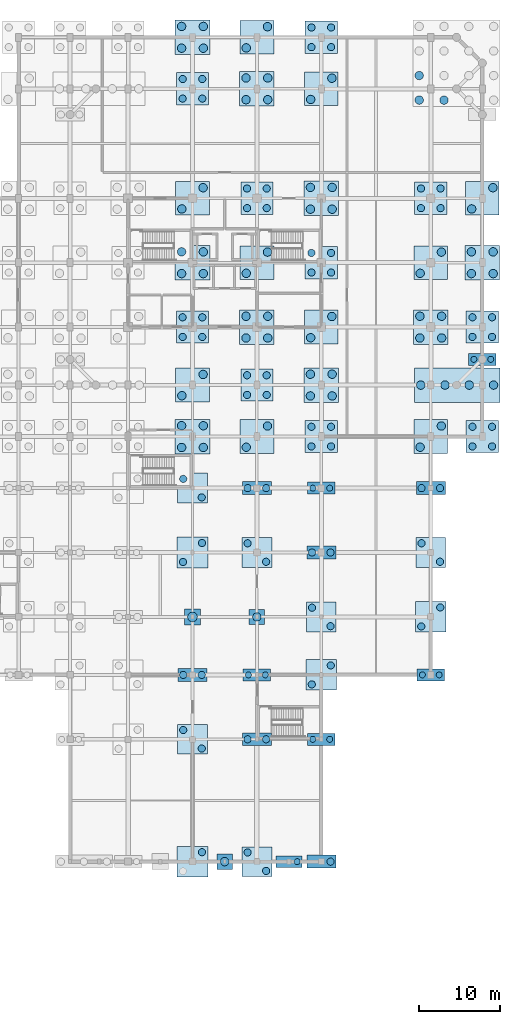
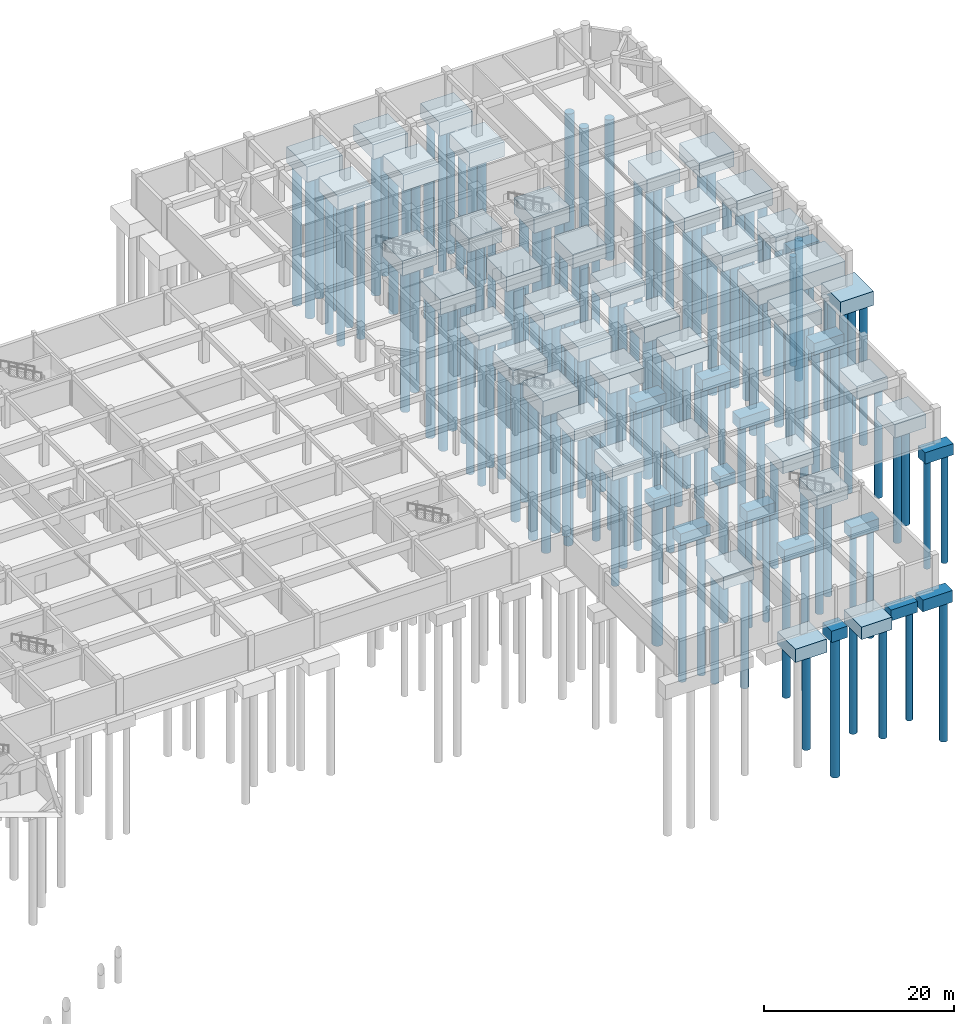
# One storey, part 4 of 28: 147 piles, 55 footings.
"""IFC4 building model written with IfcOpenShell, lengths in metres."""

from ifc_helpers import new_model, si_unit, direction, frame, origin, origin_2d, place, context, subcontext, project, spatial, rectangle, circle, extrude, material, material_profile, profile_set, type_object, element, save


model = new_model("IFC4")

# Units and contexts
model_context = context("Model", 3, precision=1e-05, world=origin(), true_north=direction((0.0, 1.0)))
body_context = subcontext(model_context, "Body", "Model", "MODEL_VIEW")
ifc_project = project(units=[si_unit("LENGTHUNIT", "METRE"), si_unit("AREAUNIT", "SQUARE_METRE"), si_unit("VOLUMEUNIT", "CUBIC_METRE"), si_unit("PLANEANGLEUNIT", "RADIAN"), si_unit("MASSUNIT", "GRAM", prefix="KILO")], contexts=[model_context])

# Site, building, storey
site_placement = place(None, origin())
site = spatial("IfcSite", under=ifc_project, at=site_placement, CompositionType="ELEMENT")
building_placement = place(site_placement, origin())
building = spatial("IfcBuilding", under=site, at=building_placement, Name="Vellmiral Cinema and Media Centre", CompositionType="ELEMENT")
storey_placement = place(building_placement, frame((0.0, 0.0, -4.5)))
storey = spatial("IfcBuildingStorey", under=building, at=storey_placement, Name="B1", CompositionType="ELEMENT", Elevation=-4.5)

# Footings
ifc_material_1 = material(Name="Concrete C30/37", Category="concrete")
footing_type_1 = type_object("IfcFootingType", Name="FTG-PC-190x190x145", PredefinedType="PILE_CAP", material=ifc_material_1)
for number, where, z_axis, x_axis, name in (
    (1, (136.0, 12.800048828125, -1.91015625), (0.0, 0.0, 1.0), (1.0, 0.0, 0.0), "Pile Cap 188"),
    (2, (140.0, 43.199951171875, -1.91015625), (0.0, 0.0, 1.0), (1.0, 0.0, 0.0), "Pile Cap 201"),
):
    element("IfcFooting", number, at=place(storey_placement, frame(where, z_axis=z_axis, x_axis=x_axis)), inside=storey, type_object=footing_type_1, Name=name, PredefinedType="PILE_CAP", context=body_context, shape_type="SweptSolid", body=[
        extrude(rectangle(XDim=1.89990234375, YDim=1.89990234375, at=origin_2d()), origin(), (0.0, 0.0, 1.0), 1.449951171875),
    ])
ifc_material_2 = material(Name="Concrete C30/37", Category="concrete")
footing_type_2 = type_object("IfcFootingType", Name="FTG-PC-200x200x155", PredefinedType="PILE_CAP", material=ifc_material_2)
footing_1_placement = place(storey_placement, frame((132.0, 43.199951171875, -2.01025390625), z_axis=(0.0, 0.0, 1.0), x_axis=(1.0, 0.0, 0.0)))
element("IfcFooting", 3, at=footing_1_placement, inside=storey, type_object=footing_type_2, Name="Pile Cap 187", PredefinedType="PILE_CAP", context=body_context, shape_type="SweptSolid", body=[
    extrude(rectangle(XDim=2.0, YDim=2.0, at=origin_2d()), origin(), (0.0, 0.0, 1.0), 1.550048828125),
])
ifc_material_3 = material(Name="Concrete C30/37", Category="concrete")
footing_type_3 = type_object("IfcFootingType", Name="FTG-PC-325x140x140", PredefinedType="PILE_CAP", material=ifc_material_3)
footing_2_placement = place(storey_placement, frame((144.0, 12.800048828125, -1.85986328125), z_axis=(0.0, 0.0, 1.0), x_axis=(1.0, 0.0, 0.0)))
element("IfcFooting", 4, at=footing_2_placement, inside=storey, type_object=footing_type_3, Name="Pile Cap 202", PredefinedType="PILE_CAP", context=body_context, shape_type="SweptSolid", body=[
    extrude(rectangle(XDim=3.25, YDim=1.39990234375, at=origin_2d()), origin(), (0.0, 0.0, 1.0), 1.39990234375),
])
ifc_material_4 = material(Name="Concrete C30/37", Category="concrete")
footing_type_4 = type_object("IfcFootingType", Name="FTG-PC-340x150x145", PredefinedType="PILE_CAP", material=ifc_material_4)
for number, where, z_axis, x_axis, name in (
    (5, (140.0, 36.0, -1.91015625), (0.0, 0.0, 1.0), (1.0, 0.0, 0.0), "Pile Cap 200"),
    (6, (148.0, 28.0, -1.91015625), (0.0, 0.0, 1.0), (1.0, 0.0, 0.0), "Pile Cap 214"),
    (7, (148.0, 59.199951171875, -1.91015625), (0.0, 0.0, 1.0), (1.0, 0.0, 0.0), "Pile Cap 215"),
    (8, (161.60009765625, 36.0, -1.91015625), (0.0, 0.0, 1.0), (1.0, 0.0, 0.0), "Pile Cap 225"),
    (9, (168.0, 75.199951171875, -1.91015625), (0.0, 0.0, 1.0), (1.0, 0.0, 0.0), "Pile Cap 230"),
):
    element("IfcFooting", number, at=place(storey_placement, frame(where, z_axis=z_axis, x_axis=x_axis)), inside=storey, type_object=footing_type_4, Name=name, PredefinedType="PILE_CAP", context=body_context, shape_type="SweptSolid", body=[
        extrude(rectangle(XDim=3.39990234375, YDim=1.5, at=origin_2d()), origin(), (0.0, 0.0, 1.0), 1.449951171875),
    ])
ifc_material_5 = material(Name="Concrete C30/37", Category="concrete")
footing_type_5 = type_object("IfcFootingType", Name="FTG-PC-360x160x150", PredefinedType="PILE_CAP", material=ifc_material_5)
for number, where, z_axis, x_axis, name in (
    (10, (132.0, 36.0, -1.9599609375), (0.0, 0.0, 1.0), (1.0, 0.0, 0.0), "Pile Cap 186"),
    (11, (140.0, 28.0, -1.9599609375), (0.0, 0.0, 1.0), (1.0, 0.0, 0.0), "Pile Cap 198"),
    (12, (140.0, 59.199951171875, -1.9599609375), (0.0, 0.0, 1.0), (1.0, 0.0, 0.0), "Pile Cap 199"),
    (13, (148.0, 12.800048828125, -1.9599609375), (0.0, 0.0, 1.0), (1.0, 0.0, 0.0), "Pile Cap 212"),
    (14, (148.0, 51.199951171875, -1.9599609375), (0.0, 0.0, 1.0), (1.0, 0.0, 0.0), "Pile Cap 213"),
    (15, (161.60009765625, 59.199951171875, -1.9599609375), (0.0, 0.0, 1.0), (1.0, 0.0, 0.0), "Pile Cap 224"),
):
    element("IfcFooting", number, at=place(storey_placement, frame(where, z_axis=z_axis, x_axis=x_axis)), inside=storey, type_object=footing_type_5, Name=name, PredefinedType="PILE_CAP", context=body_context, shape_type="SweptSolid", body=[
        extrude(rectangle(XDim=3.60009765625, YDim=1.60009765625, at=origin_2d()), origin(), (0.0, 0.0, 1.0), 1.5),
    ])
ifc_material_6 = material(Name="Concrete C30/37", Category="concrete")
footing_type_6 = type_object("IfcFootingType", Name="FTG-PC-370x370x160", PredefinedType="PILE_CAP", material=ifc_material_6)
for number, where, z_axis, x_axis, name in (
    (16, (132.0, 28.0, -2.06005859375), (0.0, 0.0, 1.0), (1.0, 0.0, 0.0), "Pile Cap 184"),
    (17, (132.0, 59.199951171875, -2.06005859375), (0.0, 0.0, 1.0), (1.0, 0.0, 0.0), "Pile Cap 185"),
    (18, (140.0, 12.800048828125, -2.06005859375), (0.0, 0.0, 1.0), (1.0, 0.0, 0.0), "Pile Cap 196"),
    (19, (140.0, 51.199951171875, -2.06005859375), (0.0, 0.0, 1.0), (1.0, 0.0, 0.0), "Pile Cap 197"),
    (20, (148.0, 43.199951171875, -2.06005859375), (0.0, 0.0, 1.0), (1.0, 0.0, 0.0), "Pile Cap 211"),
    (21, (161.60009765625, 51.199951171875, -2.06005859375), (0.0, 0.0, 1.0), (1.0, 0.0, 0.0), "Pile Cap 223"),
):
    element("IfcFooting", number, at=place(storey_placement, frame(where, z_axis=z_axis, x_axis=x_axis)), inside=storey, type_object=footing_type_6, Name=name, PredefinedType="PILE_CAP", context=body_context, shape_type="SweptSolid", body=[
        extrude(rectangle(XDim=3.699951171875, YDim=3.699951171875, at=origin_2d()), origin(), (0.0, 0.0, 1.0), 1.60009765625),
    ])
ifc_material_7 = material(Name="Concrete C30/37", Category="concrete")
footing_type_7 = type_object("IfcFootingType", Name="FTG-PC-380x380x170", PredefinedType="PILE_CAP", material=ifc_material_7)
for number, where, z_axis, x_axis, name in (
    (22, (132.0, 12.800048828125, -2.16015625), (0.0, 0.0, 1.0), (1.0, 0.0, 0.0), "Pile Cap 182"),
    (23, (132.0, 51.199951171875, -2.16015625), (0.0, 0.0, 1.0), (1.0, 0.0, 0.0), "Pile Cap 183"),
    (24, (148.0, 36.0, -2.16015625), (0.0, 0.0, 1.0), (1.0, 0.0, 0.0), "Pile Cap 210"),
    (25, (161.60009765625, 43.199951171875, -2.16015625), (0.0, 0.0, 1.0), (1.0, 0.0, 0.0), "Pile Cap 222"),
):
    element("IfcFooting", number, at=place(storey_placement, frame(where, z_axis=z_axis, x_axis=x_axis)), inside=storey, type_object=footing_type_7, Name=name, PredefinedType="PILE_CAP", context=body_context, shape_type="SweptSolid", body=[
        extrude(rectangle(XDim=3.800048828125, YDim=3.800048828125, at=origin_2d()), origin(), (0.0, 0.0, 1.0), 1.699951171875),
    ])
ifc_material_8 = material(Name="Concrete C30/37", Category="concrete")
footing_type_8 = type_object("IfcFootingType", Name="FTG-PC-400x400x180", PredefinedType="PILE_CAP", material=ifc_material_8)
for number, where, z_axis, x_axis, name in (
    (26, (132.0, 79.199951171875, -2.26025390625), (0.0, 0.0, 1.0), (1.0, 0.0, 0.0), "Pile Cap 180"),
    (27, (132.0, 108.800048828125, -2.26025390625), (0.0, 0.0, 1.0), (1.0, 0.0, 0.0), "Pile Cap 181"),
    (28, (140.0, 72.0, -2.26025390625), (0.0, 0.0, 1.0), (1.0, 0.0, 0.0), "Pile Cap 194"),
    (29, (140.0, 95.199951171875, -2.26025390625), (0.0, 0.0, 1.0), (1.0, 0.0, 0.0), "Pile Cap 195"),
    (30, (148.0, 65.60009765625, -2.26025390625), (0.0, 0.0, 1.0), (1.0, 0.0, 0.0), "Pile Cap 207"),
    (31, (148.0, 87.199951171875, -2.26025390625), (0.0, 0.0, 1.0), (1.0, 0.0, 0.0), "Pile Cap 208"),
    (32, (148.0, 115.199951171875, -2.26025390625), (0.0, 0.0, 1.0), (1.0, 0.0, 0.0), "Pile Cap 209"),
    (33, (161.60009765625, 95.199951171875, -2.26025390625), (0.0, 0.0, 1.0), (1.0, 0.0, 0.0), "Pile Cap 221"),
    (34, (168.0, 65.60009765625, -2.26025390625), (0.0, 0.0, 1.0), (1.0, 0.0, 0.0), "Pile Cap 228"),
    (35, (168.0, 79.199951171875, -2.26025390625), (0.0, 0.0, 1.0), (1.0, 0.0, 0.0), "Pile Cap 229"),
):
    element("IfcFooting", number, at=place(storey_placement, frame(where, z_axis=z_axis, x_axis=x_axis)), inside=storey, type_object=footing_type_8, Name=name, PredefinedType="PILE_CAP", context=body_context, shape_type="SweptSolid", body=[
        extrude(rectangle(XDim=4.0, YDim=4.0, at=origin_2d()), origin(), (0.0, 0.0, 1.0), 1.800048828125),
    ])
ifc_material_9 = material(Name="Concrete C30/37", Category="concrete")
footing_type_9 = type_object("IfcFootingType", Name="FTG-PC-420x420x190", PredefinedType="PILE_CAP", material=ifc_material_9)
for number, where, z_axis, x_axis, name in (
    (36, (132.0, 72.0, -2.35986328125), (0.0, 0.0, 1.0), (1.0, 0.0, 0.0), "Pile Cap 178"),
    (37, (132.0, 95.199951171875, -2.35986328125), (0.0, 0.0, 1.0), (1.0, 0.0, 0.0), "Pile Cap 179"),
    (38, (140.0, 65.60009765625, -2.35986328125), (0.0, 0.0, 1.0), (1.0, 0.0, 0.0), "Pile Cap 191"),
    (39, (140.0, 87.199951171875, -2.35986328125), (0.0, 0.0, 1.0), (1.0, 0.0, 0.0), "Pile Cap 192"),
    (40, (140.0, 115.199951171875, -2.35986328125), (0.0, 0.0, 1.0), (1.0, 0.0, 0.0), "Pile Cap 193"),
    (41, (148.0, 79.199951171875, -2.35986328125), (0.0, 0.0, 1.0), (1.0, 0.0, 0.0), "Pile Cap 205"),
    (42, (148.0, 108.800048828125, -2.35986328125), (0.0, 0.0, 1.0), (1.0, 0.0, 0.0), "Pile Cap 206"),
    (43, (161.60009765625, 65.60009765625, -2.35986328125), (0.0, 0.0, 1.0), (1.0, 0.0, 0.0), "Pile Cap 218"),
    (44, (161.60009765625, 87.199951171875, -2.35986328125), (0.0, 0.0, 1.0), (1.0, 0.0, 0.0), "Pile Cap 219"),
    (45, (168.0, 95.199951171875, -2.35986328125), (0.0, 0.0, 1.0), (1.0, 0.0, 0.0), "Pile Cap 227"),
):
    element("IfcFooting", number, at=place(storey_placement, frame(where, z_axis=z_axis, x_axis=x_axis)), inside=storey, type_object=footing_type_9, Name=name, PredefinedType="PILE_CAP", context=body_context, shape_type="SweptSolid", body=[
        extrude(rectangle(XDim=4.199951171875, YDim=4.199951171875, at=origin_2d()), origin(), (0.0, 0.0, 1.0), 1.89990234375),
    ])
ifc_material_10 = material(Name="Concrete C30/37", Category="concrete")
footing_type_10 = type_object("IfcFootingType", Name="FTG-PC-430x430x200", PredefinedType="PILE_CAP", material=ifc_material_10)
for number, where, z_axis, x_axis, name in (
    (46, (132.0, 65.60009765625, -2.4599609375), (0.0, 0.0, 1.0), (1.0, 0.0, 0.0), "Pile Cap 175"),
    (47, (132.0, 87.199951171875, -2.4599609375), (0.0, 0.0, 1.0), (1.0, 0.0, 0.0), "Pile Cap 176"),
    (48, (132.0, 115.199951171875, -2.4599609375), (0.0, 0.0, 1.0), (1.0, 0.0, 0.0), "Pile Cap 177"),
    (49, (140.0, 79.199951171875, -2.4599609375), (0.0, 0.0, 1.0), (1.0, 0.0, 0.0), "Pile Cap 189"),
    (50, (140.0, 108.800048828125, -2.4599609375), (0.0, 0.0, 1.0), (1.0, 0.0, 0.0), "Pile Cap 190"),
    (51, (148.0, 72.0, -2.4599609375), (0.0, 0.0, 1.0), (1.0, 0.0, 0.0), "Pile Cap 203"),
    (52, (148.0, 95.199951171875, -2.4599609375), (0.0, 0.0, 1.0), (1.0, 0.0, 0.0), "Pile Cap 204"),
    (53, (161.60009765625, 79.199951171875, -2.4599609375), (0.0, 0.0, 1.0), (1.0, 0.0, 0.0), "Pile Cap 217"),
    (54, (168.0, 87.199951171875, -2.4599609375), (0.0, 0.0, 1.0), (1.0, 0.0, 0.0), "Pile Cap 226"),
):
    element("IfcFooting", number, at=place(storey_placement, frame(where, z_axis=z_axis, x_axis=x_axis)), inside=storey, type_object=footing_type_10, Name=name, PredefinedType="PILE_CAP", context=body_context, shape_type="SweptSolid", body=[
        extrude(rectangle(XDim=4.300048828125, YDim=4.300048828125, at=origin_2d()), origin(), (0.0, 0.0, 1.0), 2.0),
    ])
ifc_material_11 = material(Name="Concrete C30/37", Category="concrete")
footing_type_11 = type_object("IfcFootingType", Name="FTG-PCC-1060x430x200", PredefinedType="PILE_CAP", material=ifc_material_11)
footing_3_placement = place(storey_placement, frame((164.875, 72.0, -2.4599609375), z_axis=(0.0, 0.0, 1.0), x_axis=(1.0, 0.0, 0.0)))
element("IfcFooting", 55, at=footing_3_placement, inside=storey, type_object=footing_type_11, Name="Pile Cap 220", PredefinedType="PILE_CAP", context=body_context, shape_type="SweptSolid", body=[
    extrude(rectangle(XDim=10.60009765625, YDim=4.300048828125, at=origin_2d()), origin(), (0.0, 0.0, 1.0), 2.0),
])

# Piles
ifc_material_12 = material(Name="Concrete C30/37", Category="concrete")
ifc_material_profile_1 = material_profile(ifc_material_12, circle(Radius=0.52490234375, at=origin_2d()), Name="PILE D1050")
ifc_profile_set_1 = profile_set([ifc_material_profile_1], Name="Concrete C30/37")
pile_type_1 = type_object("IfcPileType", Name="PIL-BORED-D1050-L18", PredefinedType="BORED", material=ifc_profile_set_1)
for number, where, z_axis, x_axis, name in (
    (56, (133.35009765625, 66.949951171875, -2.360107421875), (0.0, 0.0, -1.0), (1.0, 0.0, 0.0), "Bored Pile 175-1"),
    (57, (130.64990234375, 66.949951171875, -2.360107421875), (0.0, 0.0, -1.0), (1.0, 0.0, 0.0), "Bored Pile 175-2"),
    (58, (133.35009765625, 64.25, -2.360107421875), (0.0, 0.0, -1.0), (1.0, 0.0, 0.0), "Bored Pile 175-3"),
    (59, (130.64990234375, 64.25, -2.360107421875), (0.0, 0.0, -1.0), (1.0, 0.0, 0.0), "Bored Pile 175-4"),
    (60, (133.35009765625, 88.550048828125, -2.360107421875), (0.0, 0.0, -1.0), (1.0, 0.0, 0.0), "Bored Pile 176-1"),
    (61, (130.64990234375, 88.550048828125, -2.360107421875), (0.0, 0.0, -1.0), (1.0, 0.0, 0.0), "Bored Pile 176-2"),
    (62, (133.35009765625, 85.85009765625, -2.360107421875), (0.0, 0.0, -1.0), (1.0, 0.0, 0.0), "Bored Pile 176-3"),
    (63, (130.64990234375, 85.85009765625, -2.360107421875), (0.0, 0.0, -1.0), (1.0, 0.0, 0.0), "Bored Pile 176-4"),
    (64, (133.35009765625, 116.550048828125, -2.360107421875), (0.0, 0.0, -1.0), (1.0, 0.0, 0.0), "Bored Pile 177-1"),
    (65, (130.64990234375, 116.550048828125, -2.360107421875), (0.0, 0.0, -1.0), (1.0, 0.0, 0.0), "Bored Pile 177-2"),
    (66, (133.35009765625, 113.85009765625, -2.360107421875), (0.0, 0.0, -1.0), (1.0, 0.0, 0.0), "Bored Pile 177-3"),
    (67, (130.64990234375, 113.85009765625, -2.360107421875), (0.0, 0.0, -1.0), (1.0, 0.0, 0.0), "Bored Pile 177-4"),
    (68, (133.320068359375, 73.320068359375, -2.260009765625), (0.0, 0.0, -1.0), (1.0, 0.0, 0.0), "Bored Pile 178-1"),
    (69, (130.679931640625, 70.679931640625, -2.260009765625), (0.0, 0.0, -1.0), (1.0, 0.0, 0.0), "Bored Pile 178-2"),
    (70, (133.320068359375, 96.52001953125, -2.260009765625), (0.0, 0.0, -1.0), (1.0, 0.0, 0.0), "Bored Pile 179-1"),
    (71, (130.679931640625, 93.8798828125, -2.260009765625), (0.0, 0.0, -1.0), (1.0, 0.0, 0.0), "Bored Pile 179-2"),
    (72, (136.0, 12.800048828125, -1.81005859375), (0.0, 0.0, -1.0), (1.0, 0.0, 0.0), "Bored Pile 188-1"),
    (73, (141.35009765625, 80.550048828125, -2.360107421875), (0.0, 0.0, -1.0), (1.0, 0.0, 0.0), "Bored Pile 189-1"),
    (74, (138.64990234375, 80.550048828125, -2.360107421875), (0.0, 0.0, -1.0), (1.0, 0.0, 0.0), "Bored Pile 189-2"),
    (75, (141.35009765625, 77.85009765625, -2.360107421875), (0.0, 0.0, -1.0), (1.0, 0.0, 0.0), "Bored Pile 189-3"),
    (76, (138.64990234375, 77.85009765625, -2.360107421875), (0.0, 0.0, -1.0), (1.0, 0.0, 0.0), "Bored Pile 189-4"),
    (77, (141.35009765625, 110.14990234375, -2.360107421875), (0.0, 0.0, -1.0), (1.0, 0.0, 0.0), "Bored Pile 190-1"),
    (78, (138.64990234375, 110.14990234375, -2.360107421875), (0.0, 0.0, -1.0), (1.0, 0.0, 0.0), "Bored Pile 190-2"),
    (79, (141.35009765625, 107.449951171875, -2.360107421875), (0.0, 0.0, -1.0), (1.0, 0.0, 0.0), "Bored Pile 190-3"),
    (80, (138.64990234375, 107.449951171875, -2.360107421875), (0.0, 0.0, -1.0), (1.0, 0.0, 0.0), "Bored Pile 190-4"),
    (81, (141.320068359375, 66.919921875, -2.260009765625), (0.0, 0.0, -1.0), (1.0, 0.0, 0.0), "Bored Pile 191-1"),
    (82, (138.679931640625, 64.280029296875, -2.260009765625), (0.0, 0.0, -1.0), (1.0, 0.0, 0.0), "Bored Pile 191-2"),
    (83, (141.320068359375, 88.52001953125, -2.260009765625), (0.0, 0.0, -1.0), (1.0, 0.0, 0.0), "Bored Pile 192-1"),
    (84, (138.679931640625, 85.8798828125, -2.260009765625), (0.0, 0.0, -1.0), (1.0, 0.0, 0.0), "Bored Pile 192-2"),
    (85, (141.320068359375, 116.52001953125, -2.260009765625), (0.0, 0.0, -1.0), (1.0, 0.0, 0.0), "Bored Pile 193-1"),
    (86, (138.679931640625, 113.8798828125, -2.260009765625), (0.0, 0.0, -1.0), (1.0, 0.0, 0.0), "Bored Pile 193-2"),
    (87, (140.0, 43.199951171875, -1.81005859375), (0.0, 0.0, -1.0), (1.0, 0.0, 0.0), "Bored Pile 201-1"),
    (88, (149.35009765625, 73.35009765625, -2.360107421875), (0.0, 0.0, -1.0), (1.0, 0.0, 0.0), "Bored Pile 203-1"),
    (89, (146.64990234375, 73.35009765625, -2.360107421875), (0.0, 0.0, -1.0), (1.0, 0.0, 0.0), "Bored Pile 203-2"),
    (90, (149.35009765625, 70.64990234375, -2.360107421875), (0.0, 0.0, -1.0), (1.0, 0.0, 0.0), "Bored Pile 203-3"),
    (91, (146.64990234375, 70.64990234375, -2.360107421875), (0.0, 0.0, -1.0), (1.0, 0.0, 0.0), "Bored Pile 203-4"),
    (92, (149.35009765625, 96.550048828125, -2.360107421875), (0.0, 0.0, -1.0), (1.0, 0.0, 0.0), "Bored Pile 204-1"),
    (93, (146.64990234375, 96.550048828125, -2.360107421875), (0.0, 0.0, -1.0), (1.0, 0.0, 0.0), "Bored Pile 204-2"),
    (94, (149.35009765625, 93.85009765625, -2.360107421875), (0.0, 0.0, -1.0), (1.0, 0.0, 0.0), "Bored Pile 204-3"),
    (95, (146.64990234375, 93.85009765625, -2.360107421875), (0.0, 0.0, -1.0), (1.0, 0.0, 0.0), "Bored Pile 204-4"),
    (96, (149.320068359375, 80.52001953125, -2.260009765625), (0.0, 0.0, -1.0), (1.0, 0.0, 0.0), "Bored Pile 205-1"),
    (97, (146.679931640625, 77.8798828125, -2.260009765625), (0.0, 0.0, -1.0), (1.0, 0.0, 0.0), "Bored Pile 205-2"),
    (98, (149.320068359375, 110.1201171875, -2.260009765625), (0.0, 0.0, -1.0), (1.0, 0.0, 0.0), "Bored Pile 206-1"),
    (99, (146.679931640625, 107.47998046875, -2.260009765625), (0.0, 0.0, -1.0), (1.0, 0.0, 0.0), "Bored Pile 206-2"),
    (100, (160.16259765625, 107.39990234375, -2.360107421875), (0.0, 0.0, -1.0), (1.0, 0.0, 0.0), "Bored Pile 216-1"),
    (101, (160.16259765625, 110.449951171875, -2.360107421875), (0.0, 0.0, -1.0), (1.0, 0.0, 0.0), "Bored Pile 216-2"),
    (102, (163.245849609375, 107.39990234375, -2.360107421875), (0.0, 0.0, -1.0), (1.0, 0.0, 0.0), "Bored Pile 216-5"),
    (103, (162.949951171875, 80.550048828125, -2.360107421875), (0.0, 0.0, -1.0), (1.0, 0.0, 0.0), "Bored Pile 217-1"),
    (104, (160.25, 80.550048828125, -2.360107421875), (0.0, 0.0, -1.0), (1.0, 0.0, 0.0), "Bored Pile 217-2"),
    (105, (162.949951171875, 77.85009765625, -2.360107421875), (0.0, 0.0, -1.0), (1.0, 0.0, 0.0), "Bored Pile 217-3"),
    (106, (160.25, 77.85009765625, -2.360107421875), (0.0, 0.0, -1.0), (1.0, 0.0, 0.0), "Bored Pile 217-4"),
    (107, (162.919921875, 66.919921875, -2.260009765625), (0.0, 0.0, -1.0), (1.0, 0.0, 0.0), "Bored Pile 218-1"),
    (108, (160.280029296875, 64.280029296875, -2.260009765625), (0.0, 0.0, -1.0), (1.0, 0.0, 0.0), "Bored Pile 218-2"),
    (109, (162.919921875, 88.52001953125, -2.260009765625), (0.0, 0.0, -1.0), (1.0, 0.0, 0.0), "Bored Pile 219-1"),
    (110, (160.280029296875, 85.8798828125, -2.260009765625), (0.0, 0.0, -1.0), (1.0, 0.0, 0.0), "Bored Pile 219-2"),
    (111, (160.35009765625, 72.0, -2.360107421875), (0.0, 0.0, -1.0), (1.0, 0.0, 0.0), "Bored Pile 220-1"),
    (112, (163.36669921875, 72.0, -2.360107421875), (0.0, 0.0, -1.0), (1.0, 0.0, 0.0), "Bored Pile 220-2"),
    (113, (166.38330078125, 72.0, -2.360107421875), (0.0, 0.0, -1.0), (1.0, 0.0, 0.0), "Bored Pile 220-3"),
    (114, (169.39990234375, 72.0, -2.360107421875), (0.0, 0.0, -1.0), (1.0, 0.0, 0.0), "Bored Pile 220-4"),
    (115, (169.35009765625, 88.550048828125, -2.360107421875), (0.0, 0.0, -1.0), (1.0, 0.0, 0.0), "Bored Pile 226-1"),
    (116, (166.64990234375, 88.550048828125, -2.360107421875), (0.0, 0.0, -1.0), (1.0, 0.0, 0.0), "Bored Pile 226-2"),
    (117, (169.35009765625, 85.85009765625, -2.360107421875), (0.0, 0.0, -1.0), (1.0, 0.0, 0.0), "Bored Pile 226-3"),
    (118, (166.64990234375, 85.85009765625, -2.360107421875), (0.0, 0.0, -1.0), (1.0, 0.0, 0.0), "Bored Pile 226-4"),
    (119, (169.320068359375, 96.52001953125, -2.260009765625), (0.0, 0.0, -1.0), (1.0, 0.0, 0.0), "Bored Pile 227-1"),
    (120, (166.679931640625, 93.8798828125, -2.260009765625), (0.0, 0.0, -1.0), (1.0, 0.0, 0.0), "Bored Pile 227-2"),
):
    element("IfcPile", number, at=place(storey_placement, frame(where, z_axis=z_axis, x_axis=x_axis)), inside=storey, type_object=pile_type_1, Name=name, PredefinedType="BORED", context=body_context, shape_type="SweptSolid", body=[
        extrude(circle(Radius=0.52490234375, at=origin_2d()), origin(), (0.0, 0.0, 1.0), 18.0),
    ])
ifc_material_13 = material(Name="Concrete C30/37", Category="concrete")
ifc_material_profile_2 = material_profile(ifc_material_13, circle(Radius=0.60009765625, at=origin_2d()), Name="PILE D1200")
ifc_profile_set_2 = profile_set([ifc_material_profile_2], Name="Concrete C30/37")
pile_type_2 = type_object("IfcPileType", Name="PIL-BORED-D1200-L18", PredefinedType="BORED", material=ifc_profile_set_2)
pile_placement = place(storey_placement, frame((132.0, 43.199951171875, -1.909912109375), z_axis=(0.0, 0.0, -1.0), x_axis=(1.0, 0.0, 0.0)))
element("IfcPile", 121, at=pile_placement, inside=storey, type_object=pile_type_2, Name="Bored Pile 187-1", PredefinedType="BORED", context=body_context, shape_type="SweptSolid", body=[
    extrude(circle(Radius=0.60009765625, at=origin_2d()), origin(), (0.0, 0.0, 1.0), 18.0),
])
ifc_material_14 = material(Name="Concrete C30/37", Category="concrete")
ifc_material_profile_3 = material_profile(ifc_material_14, circle(Radius=0.375, at=origin_2d()), Name="PILE D750")
ifc_profile_set_3 = profile_set([ifc_material_profile_3], Name="Concrete C30/37")
pile_type_3 = type_object("IfcPileType", Name="PIL-BORED-D750-L14", PredefinedType="BORED", material=ifc_profile_set_3)
for number, where, z_axis, x_axis, name in (
    (122, (138.949951171875, 36.0, -1.81005859375), (0.0, 0.0, -1.0), (1.0, 0.0, 0.0), "Bored Pile 200-1"),
    (123, (141.050048828125, 36.0, -1.81005859375), (0.0, 0.0, -1.0), (1.0, 0.0, 0.0), "Bored Pile 200-2"),
    (124, (145.0, 12.800048828125, -1.760009765625), (0.0, 0.0, -1.0), (1.0, 0.0, 0.0), "Bored Pile 202-1"),
    (125, (146.949951171875, 28.0, -1.81005859375), (0.0, 0.0, -1.0), (1.0, 0.0, 0.0), "Bored Pile 214-1"),
    (126, (149.050048828125, 28.0, -1.81005859375), (0.0, 0.0, -1.0), (1.0, 0.0, 0.0), "Bored Pile 214-2"),
    (127, (146.949951171875, 59.199951171875, -1.81005859375), (0.0, 0.0, -1.0), (1.0, 0.0, 0.0), "Bored Pile 215-1"),
    (128, (149.050048828125, 59.199951171875, -1.81005859375), (0.0, 0.0, -1.0), (1.0, 0.0, 0.0), "Bored Pile 215-2"),
    (129, (160.550048828125, 36.0, -1.81005859375), (0.0, 0.0, -1.0), (1.0, 0.0, 0.0), "Bored Pile 225-1"),
    (130, (162.64990234375, 36.0, -1.81005859375), (0.0, 0.0, -1.0), (1.0, 0.0, 0.0), "Bored Pile 225-2"),
    (131, (166.949951171875, 75.199951171875, -1.81005859375), (0.0, 0.0, -1.0), (1.0, 0.0, 0.0), "Bored Pile 230-1"),
    (132, (169.050048828125, 75.199951171875, -1.81005859375), (0.0, 0.0, -1.0), (1.0, 0.0, 0.0), "Bored Pile 230-2"),
):
    element("IfcPile", number, at=place(storey_placement, frame(where, z_axis=z_axis, x_axis=x_axis)), inside=storey, type_object=pile_type_3, Name=name, PredefinedType="BORED", context=body_context, shape_type="SweptSolid", body=[
        extrude(circle(Radius=0.375, at=origin_2d()), origin(), (0.0, 0.0, 1.0), 14.0),
    ])
ifc_material_15 = material(Name="Concrete C30/37", Category="concrete")
ifc_material_profile_4 = material_profile(ifc_material_15, circle(Radius=0.449951171875, at=origin_2d()), Name="PILE D900")
ifc_profile_set_4 = profile_set([ifc_material_profile_4], Name="Concrete C30/37")
pile_type_4 = type_object("IfcPileType", Name="PIL-BORED-D900-L14", PredefinedType="BORED", material=ifc_profile_set_4)
for number, where, z_axis, x_axis, name in (
    (133, (133.179931640625, 13.97998046875, -2.06005859375), (0.0, 0.0, -1.0), (1.0, 0.0, 0.0), "Bored Pile 182-1"),
    (134, (133.179931640625, 52.3798828125, -2.06005859375), (0.0, 0.0, -1.0), (1.0, 0.0, 0.0), "Bored Pile 183-1"),
    (135, (130.820068359375, 50.02001953125, -2.06005859375), (0.0, 0.0, -1.0), (1.0, 0.0, 0.0), "Bored Pile 183-2"),
    (136, (130.85009765625, 29.14990234375, -1.9599609375), (0.0, 0.0, -1.0), (1.0, 0.0, 0.0), "Bored Pile 184-1"),
    (137, (133.14990234375, 26.85009765625, -1.9599609375), (0.0, 0.0, -1.0), (1.0, 0.0, 0.0), "Bored Pile 184-2"),
    (138, (130.85009765625, 60.35009765625, -1.9599609375), (0.0, 0.0, -1.0), (1.0, 0.0, 0.0), "Bored Pile 185-1"),
    (139, (133.14990234375, 58.050048828125, -1.9599609375), (0.0, 0.0, -1.0), (1.0, 0.0, 0.0), "Bored Pile 185-2"),
    (140, (138.85009765625, 13.949951171875, -1.9599609375), (0.0, 0.0, -1.0), (1.0, 0.0, 0.0), "Bored Pile 196-1"),
    (141, (141.14990234375, 11.64990234375, -1.9599609375), (0.0, 0.0, -1.0), (1.0, 0.0, 0.0), "Bored Pile 196-2"),
    (142, (138.85009765625, 52.35009765625, -1.9599609375), (0.0, 0.0, -1.0), (1.0, 0.0, 0.0), "Bored Pile 197-1"),
    (143, (141.14990234375, 50.050048828125, -1.9599609375), (0.0, 0.0, -1.0), (1.0, 0.0, 0.0), "Bored Pile 197-2"),
    (144, (149.179931640625, 37.179931640625, -2.06005859375), (0.0, 0.0, -1.0), (1.0, 0.0, 0.0), "Bored Pile 210-1"),
    (145, (146.820068359375, 34.820068359375, -2.06005859375), (0.0, 0.0, -1.0), (1.0, 0.0, 0.0), "Bored Pile 210-2"),
    (146, (146.85009765625, 44.35009765625, -1.9599609375), (0.0, 0.0, -1.0), (1.0, 0.0, 0.0), "Bored Pile 211-1"),
    (147, (149.14990234375, 42.050048828125, -1.9599609375), (0.0, 0.0, -1.0), (1.0, 0.0, 0.0), "Bored Pile 211-2"),
    (148, (162.780029296875, 44.3798828125, -2.06005859375), (0.0, 0.0, -1.0), (1.0, 0.0, 0.0), "Bored Pile 222-1"),
    (149, (160.419921875, 42.02001953125, -2.06005859375), (0.0, 0.0, -1.0), (1.0, 0.0, 0.0), "Bored Pile 222-2"),
    (150, (160.449951171875, 52.35009765625, -1.9599609375), (0.0, 0.0, -1.0), (1.0, 0.0, 0.0), "Bored Pile 223-1"),
    (151, (162.75, 50.050048828125, -1.9599609375), (0.0, 0.0, -1.0), (1.0, 0.0, 0.0), "Bored Pile 223-2"),
):
    element("IfcPile", number, at=place(storey_placement, frame(where, z_axis=z_axis, x_axis=x_axis)), inside=storey, type_object=pile_type_4, Name=name, PredefinedType="BORED", context=body_context, shape_type="SweptSolid", body=[
        extrude(circle(Radius=0.449951171875, at=origin_2d()), origin(), (0.0, 0.0, 1.0), 14.0),
    ])
ifc_material_16 = material(Name="Concrete C30/37", Category="concrete")
ifc_material_profile_5 = material_profile(ifc_material_16, circle(Radius=0.449951171875, at=origin_2d()), Name="PILE D900")
ifc_profile_set_5 = profile_set([ifc_material_profile_5], Name="Concrete C30/37")
pile_type_5 = type_object("IfcPileType", Name="PIL-BORED-D900-L18", PredefinedType="BORED", material=ifc_profile_set_5)
for number, where, z_axis, x_axis, name in (
    (152, (133.219970703125, 80.419921875, -2.159912109375), (0.0, 0.0, -1.0), (1.0, 0.0, 0.0), "Bored Pile 180-1"),
    (153, (130.780029296875, 80.419921875, -2.159912109375), (0.0, 0.0, -1.0), (1.0, 0.0, 0.0), "Bored Pile 180-2"),
    (154, (133.219970703125, 77.97998046875, -2.159912109375), (0.0, 0.0, -1.0), (1.0, 0.0, 0.0), "Bored Pile 180-3"),
    (155, (130.780029296875, 77.97998046875, -2.159912109375), (0.0, 0.0, -1.0), (1.0, 0.0, 0.0), "Bored Pile 180-4"),
    (156, (133.219970703125, 110.02001953125, -2.159912109375), (0.0, 0.0, -1.0), (1.0, 0.0, 0.0), "Bored Pile 181-1"),
    (157, (130.780029296875, 110.02001953125, -2.159912109375), (0.0, 0.0, -1.0), (1.0, 0.0, 0.0), "Bored Pile 181-2"),
    (158, (133.219970703125, 107.580078125, -2.159912109375), (0.0, 0.0, -1.0), (1.0, 0.0, 0.0), "Bored Pile 181-3"),
    (159, (130.780029296875, 107.580078125, -2.159912109375), (0.0, 0.0, -1.0), (1.0, 0.0, 0.0), "Bored Pile 181-4"),
    (160, (130.85009765625, 36.0, -1.860107421875), (0.0, 0.0, -1.0), (1.0, 0.0, 0.0), "Bored Pile 186-1"),
    (161, (133.14990234375, 36.0, -1.860107421875), (0.0, 0.0, -1.0), (1.0, 0.0, 0.0), "Bored Pile 186-2"),
    (162, (141.219970703125, 73.219970703125, -2.159912109375), (0.0, 0.0, -1.0), (1.0, 0.0, 0.0), "Bored Pile 194-1"),
    (163, (138.780029296875, 73.219970703125, -2.159912109375), (0.0, 0.0, -1.0), (1.0, 0.0, 0.0), "Bored Pile 194-2"),
    (164, (141.219970703125, 70.780029296875, -2.159912109375), (0.0, 0.0, -1.0), (1.0, 0.0, 0.0), "Bored Pile 194-3"),
    (165, (138.780029296875, 70.780029296875, -2.159912109375), (0.0, 0.0, -1.0), (1.0, 0.0, 0.0), "Bored Pile 194-4"),
    (166, (141.219970703125, 96.419921875, -2.159912109375), (0.0, 0.0, -1.0), (1.0, 0.0, 0.0), "Bored Pile 195-1"),
    (167, (138.780029296875, 96.419921875, -2.159912109375), (0.0, 0.0, -1.0), (1.0, 0.0, 0.0), "Bored Pile 195-2"),
    (168, (141.219970703125, 93.97998046875, -2.159912109375), (0.0, 0.0, -1.0), (1.0, 0.0, 0.0), "Bored Pile 195-3"),
    (169, (138.780029296875, 93.97998046875, -2.159912109375), (0.0, 0.0, -1.0), (1.0, 0.0, 0.0), "Bored Pile 195-4"),
    (170, (138.85009765625, 28.0, -1.860107421875), (0.0, 0.0, -1.0), (1.0, 0.0, 0.0), "Bored Pile 198-1"),
    (171, (141.14990234375, 28.0, -1.860107421875), (0.0, 0.0, -1.0), (1.0, 0.0, 0.0), "Bored Pile 198-2"),
    (172, (138.85009765625, 59.199951171875, -1.860107421875), (0.0, 0.0, -1.0), (1.0, 0.0, 0.0), "Bored Pile 199-1"),
    (173, (141.14990234375, 59.199951171875, -1.860107421875), (0.0, 0.0, -1.0), (1.0, 0.0, 0.0), "Bored Pile 199-2"),
    (174, (149.219970703125, 66.820068359375, -2.159912109375), (0.0, 0.0, -1.0), (1.0, 0.0, 0.0), "Bored Pile 207-1"),
    (175, (146.780029296875, 66.820068359375, -2.159912109375), (0.0, 0.0, -1.0), (1.0, 0.0, 0.0), "Bored Pile 207-2"),
    (176, (149.219970703125, 64.3798828125, -2.159912109375), (0.0, 0.0, -1.0), (1.0, 0.0, 0.0), "Bored Pile 207-3"),
    (177, (146.780029296875, 64.3798828125, -2.159912109375), (0.0, 0.0, -1.0), (1.0, 0.0, 0.0), "Bored Pile 207-4"),
    (178, (149.219970703125, 88.419921875, -2.159912109375), (0.0, 0.0, -1.0), (1.0, 0.0, 0.0), "Bored Pile 208-1"),
    (179, (146.780029296875, 88.419921875, -2.159912109375), (0.0, 0.0, -1.0), (1.0, 0.0, 0.0), "Bored Pile 208-2"),
    (180, (149.219970703125, 85.97998046875, -2.159912109375), (0.0, 0.0, -1.0), (1.0, 0.0, 0.0), "Bored Pile 208-3"),
    (181, (146.780029296875, 85.97998046875, -2.159912109375), (0.0, 0.0, -1.0), (1.0, 0.0, 0.0), "Bored Pile 208-4"),
    (182, (149.219970703125, 116.419921875, -2.159912109375), (0.0, 0.0, -1.0), (1.0, 0.0, 0.0), "Bored Pile 209-1"),
    (183, (146.780029296875, 116.419921875, -2.159912109375), (0.0, 0.0, -1.0), (1.0, 0.0, 0.0), "Bored Pile 209-2"),
    (184, (149.219970703125, 113.97998046875, -2.159912109375), (0.0, 0.0, -1.0), (1.0, 0.0, 0.0), "Bored Pile 209-3"),
    (185, (146.780029296875, 113.97998046875, -2.159912109375), (0.0, 0.0, -1.0), (1.0, 0.0, 0.0), "Bored Pile 209-4"),
    (186, (149.14990234375, 12.800048828125, -1.860107421875), (0.0, 0.0, -1.0), (1.0, 0.0, 0.0), "Bored Pile 212-1"),
    (187, (146.85009765625, 51.199951171875, -1.860107421875), (0.0, 0.0, -1.0), (1.0, 0.0, 0.0), "Bored Pile 213-1"),
    (188, (149.14990234375, 51.199951171875, -1.860107421875), (0.0, 0.0, -1.0), (1.0, 0.0, 0.0), "Bored Pile 213-2"),
    (189, (162.820068359375, 96.419921875, -2.159912109375), (0.0, 0.0, -1.0), (1.0, 0.0, 0.0), "Bored Pile 221-1"),
    (190, (160.3798828125, 96.419921875, -2.159912109375), (0.0, 0.0, -1.0), (1.0, 0.0, 0.0), "Bored Pile 221-2"),
    (191, (162.820068359375, 93.97998046875, -2.159912109375), (0.0, 0.0, -1.0), (1.0, 0.0, 0.0), "Bored Pile 221-3"),
    (192, (160.3798828125, 93.97998046875, -2.159912109375), (0.0, 0.0, -1.0), (1.0, 0.0, 0.0), "Bored Pile 221-4"),
    (193, (160.449951171875, 59.199951171875, -1.860107421875), (0.0, 0.0, -1.0), (1.0, 0.0, 0.0), "Bored Pile 224-1"),
    (194, (162.75, 59.199951171875, -1.860107421875), (0.0, 0.0, -1.0), (1.0, 0.0, 0.0), "Bored Pile 224-2"),
    (195, (169.219970703125, 66.820068359375, -2.159912109375), (0.0, 0.0, -1.0), (1.0, 0.0, 0.0), "Bored Pile 228-1"),
    (196, (166.780029296875, 66.820068359375, -2.159912109375), (0.0, 0.0, -1.0), (1.0, 0.0, 0.0), "Bored Pile 228-2"),
    (197, (169.219970703125, 64.3798828125, -2.159912109375), (0.0, 0.0, -1.0), (1.0, 0.0, 0.0), "Bored Pile 228-3"),
    (198, (166.780029296875, 64.3798828125, -2.159912109375), (0.0, 0.0, -1.0), (1.0, 0.0, 0.0), "Bored Pile 228-4"),
    (199, (169.219970703125, 80.419921875, -2.159912109375), (0.0, 0.0, -1.0), (1.0, 0.0, 0.0), "Bored Pile 229-1"),
    (200, (166.780029296875, 80.419921875, -2.159912109375), (0.0, 0.0, -1.0), (1.0, 0.0, 0.0), "Bored Pile 229-2"),
    (201, (169.219970703125, 77.97998046875, -2.159912109375), (0.0, 0.0, -1.0), (1.0, 0.0, 0.0), "Bored Pile 229-3"),
    (202, (166.780029296875, 77.97998046875, -2.159912109375), (0.0, 0.0, -1.0), (1.0, 0.0, 0.0), "Bored Pile 229-4"),
):
    element("IfcPile", number, at=place(storey_placement, frame(where, z_axis=z_axis, x_axis=x_axis)), inside=storey, type_object=pile_type_5, Name=name, PredefinedType="BORED", context=body_context, shape_type="SweptSolid", body=[
        extrude(circle(Radius=0.449951171875, at=origin_2d()), origin(), (0.0, 0.0, 1.0), 18.0),
    ])

save(model, "model.ifc")
